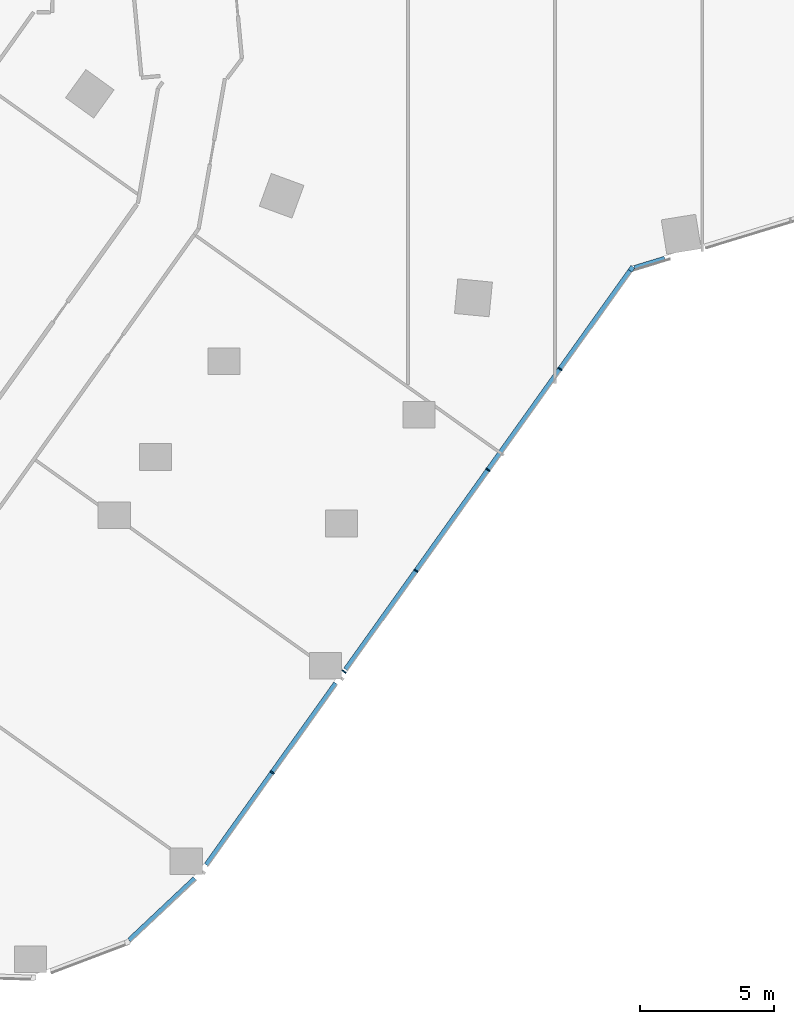
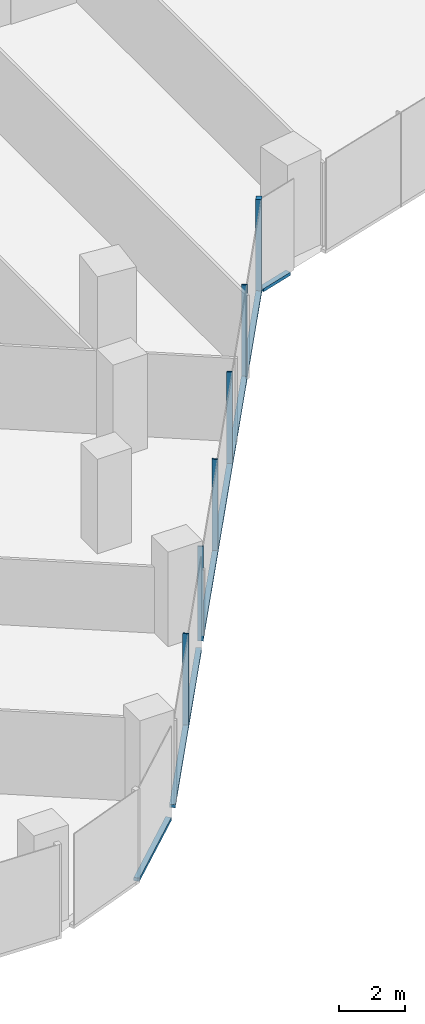
# One storey, part 5 of 31: 10 members, 3 elements without a shape of their own.
"""IFC4 building model written with IfcOpenShell, lengths in metres."""

from ifc_helpers import new_model, si_unit, direction, frame, origin, origin_2d, place, context, subcontext, project, spatial, rectangle, extrude, material, material_profile, profile_set, type_object, element, aggregate, save


model = new_model("IFC4")

# Units and contexts
model_context = context("Model", 3, precision=1e-05, world=origin(), true_north=direction((0.0, 1.0)))
body_context = subcontext(model_context, "Body", "Model", "MODEL_VIEW")
ifc_project = project(units=[si_unit("LENGTHUNIT", "METRE"), si_unit("AREAUNIT", "SQUARE_METRE"), si_unit("VOLUMEUNIT", "CUBIC_METRE"), si_unit("PLANEANGLEUNIT", "RADIAN"), si_unit("MASSUNIT", "GRAM", prefix="KILO")], contexts=[model_context])

# Site, building, storey
site_placement = place(None, origin())
site = spatial("IfcSite", under=ifc_project, at=site_placement, CompositionType="ELEMENT")
building_placement = place(site_placement, origin())
building = spatial("IfcBuilding", under=site, at=building_placement, Name="Orlundy Tower", CompositionType="ELEMENT")
storey_placement = place(building_placement, frame((0.0, 0.0, 91.199951171875)))
storey = spatial("IfcBuildingStorey", under=building, at=storey_placement, Name="L22", CompositionType="ELEMENT", Elevation=91.199951171875)

# Curtain wall, members
ifc_material_1 = material(Name="Aluminium bronze anodised", Category="aluminium")
curtain_wall_type = type_object("IfcCurtainWallType", Name="CW1 wall", PredefinedType="NOTDEFINED", material=ifc_material_1)
curtain_wall_1_placement = place(storey_placement, origin())
curtain_wall_1 = element("IfcCurtainWall", 1, at=curtain_wall_1_placement, inside=storey, type_object=curtain_wall_type, Name="CW1 run 018", PredefinedType="NOTDEFINED")
ifc_material_2 = material(Name="Aluminium bronze anodised", Category="aluminium")
ifc_material_profile_1 = material_profile(ifc_material_2, rectangle(XDim=0.179931640625, YDim=0.179931640625, at=origin_2d()), Name="CW1 corner post 180x180")
ifc_profile_set_1 = profile_set([ifc_material_profile_1], Name="Aluminium bronze anodised")
member_type_1 = type_object("IfcMemberType", Name="CW1 corner post 180x180", PredefinedType="MULLION", material=ifc_profile_set_1)
member_1_placement = place(storey_placement, frame((2.8564453125, -30.591064453125, -0.39990234375), z_axis=(0.0, 0.0, 1.0), x_axis=(0.814110230009, -0.580710369629, 0.0)))
member_1 = element("IfcMember", 2, at=member_1_placement, type_object=member_type_1, Name="CW1 mullion 51", PredefinedType="MULLION", context=body_context, shape_type="SweptSolid", body=[
    extrude(rectangle(XDim=0.179931640625, YDim=0.179931640625, at=origin_2d()), origin(), (0.0, 0.0, 1.0), 3.5),
])
ifc_material_3 = material(Name="Aluminium bronze anodised", Category="aluminium")
ifc_material_profile_2 = material_profile(ifc_material_3, rectangle(XDim=0.179931640625, YDim=0.050048828125, at=origin_2d()), Name="CW1 mullion 50x180")
ifc_profile_set_2 = profile_set([ifc_material_profile_2], Name="Aluminium bronze anodised")
member_type_2 = type_object("IfcMemberType", Name="CW1 mullion 50x180", PredefinedType="MULLION", material=ifc_profile_set_2)
member_2_placement = place(storey_placement, frame((0.18505859375, -34.336181640625, -0.39990234375), z_axis=(0.0, 0.0, 1.0), x_axis=(0.814110230009, -0.580710369629, 0.0)))
member_2 = element("IfcMember", 3, at=member_2_placement, type_object=member_type_2, Name="CW1 mullion 52", PredefinedType="MULLION", context=body_context, shape_type="SweptSolid", body=[
    extrude(rectangle(XDim=0.179931640625, YDim=0.050048828125, at=origin_2d()), origin(), (0.0, 0.0, 1.0), 3.5),
])
member_3_placement = place(storey_placement, frame((-2.504150390625, -38.106201171875, -0.39990234375), z_axis=(0.0, 0.0, 1.0), x_axis=(0.814110230009, -0.580710369629, 0.0)))
member_3 = element("IfcMember", 4, at=member_3_placement, type_object=member_type_2, Name="CW1 mullion 53", PredefinedType="MULLION", context=body_context, shape_type="SweptSolid", body=[
    extrude(rectangle(XDim=0.179931640625, YDim=0.050048828125, at=origin_2d()), origin(), (0.0, 0.0, 1.0), 3.5),
])
member_4_placement = place(storey_placement, frame((-5.193115234375, -41.876220703125, -0.39990234375), z_axis=(0.0, 0.0, 1.0), x_axis=(0.814110230009, -0.580710369629, 0.0)))
member_4 = element("IfcMember", 5, at=member_4_placement, type_object=member_type_2, Name="CW1 mullion 54", PredefinedType="MULLION", context=body_context, shape_type="SweptSolid", body=[
    extrude(rectangle(XDim=0.179931640625, YDim=0.050048828125, at=origin_2d()), origin(), (0.0, 0.0, 1.0), 3.5),
])
member_5_placement = place(storey_placement, frame((-7.88232421875, -45.646240234375, -0.39990234375), z_axis=(0.0, 0.0, 1.0), x_axis=(0.814110230009, -0.580710369629, 0.0)))
member_5 = element("IfcMember", 6, at=member_5_placement, type_object=member_type_2, Name="CW1 mullion 55", PredefinedType="MULLION", context=body_context, shape_type="SweptSolid", body=[
    extrude(rectangle(XDim=0.179931640625, YDim=0.050048828125, at=origin_2d()), origin(), (0.0, 0.0, 1.0), 3.5),
])
member_6_placement = place(storey_placement, frame((-10.571533203125, -49.416259765625, -0.39990234375), z_axis=(0.0, 0.0, 1.0), x_axis=(0.814110230009, -0.580710369629, 0.0)))
member_6 = element("IfcMember", 7, at=member_6_placement, type_object=member_type_2, Name="CW1 mullion 56", PredefinedType="MULLION", context=body_context, shape_type="SweptSolid", body=[
    extrude(rectangle(XDim=0.179931640625, YDim=0.050048828125, at=origin_2d()), origin(), (0.0, 0.0, 1.0), 3.5),
])

# Curtain wall, member
curtain_wall_2_placement = place(storey_placement, origin())
curtain_wall_2 = element("IfcCurtainWall", 8, at=curtain_wall_2_placement, inside=storey, type_object=curtain_wall_type, Name="CW1 run 017", PredefinedType="NOTDEFINED")
ifc_material_4 = material(Name="Aluminium bronze anodised", Category="aluminium")
ifc_material_profile_3 = material_profile(ifc_material_4, rectangle(XDim=0.179931640625, YDim=0.1201171875, at=origin_2d()), Name="CW1 transom 180x120")
ifc_profile_set_3 = profile_set([ifc_material_profile_3], Name="Aluminium bronze anodised")
member_type_3 = type_object("IfcMemberType", Name="CW1 transom 180x120", PredefinedType="USERDEFINED", material=ifc_profile_set_3)
member_7_placement = place(storey_placement, frame((4.099853515625, -30.211181640625, -0.33984375), z_axis=(-0.956364348349, -0.292176715718, 0.0), x_axis=(0.292176715718, -0.956364348349, 0.0)))
member_7 = element("IfcMember", 9, at=member_7_placement, type_object=member_type_3, Name="CW1 transom", ObjectType="TRANSOM", PredefinedType="USERDEFINED", context=body_context, shape_type="SweptSolid", body=[
    extrude(rectangle(XDim=0.179931640625, YDim=0.1201171875, at=origin_2d()), origin(), (0.0, 0.0, 1.0), 1.1865234375),
])
aggregate(curtain_wall_2, [member_7])

# Member
member_8_placement = place(storey_placement, frame((2.80419921875, -30.664306640625, -0.33984375), z_axis=(-0.580704410248, -0.814114480843, 0.0), x_axis=(0.814114480843, -0.580704410248, 0.0)))
member_8 = element("IfcMember", 10, at=member_8_placement, type_object=member_type_3, Name="CW1 transom", ObjectType="TRANSOM", PredefinedType="USERDEFINED", context=body_context, shape_type="SweptSolid", body=[
    extrude(rectangle(XDim=0.179931640625, YDim=0.1201171875, at=origin_2d()), origin(), (0.0, 0.0, 1.0), 18.3056640625),
])

member_9_placement = place(storey_placement, frame((-8.1923828125, -46.0810546875, -0.33984375), z_axis=(-0.580722740439, -0.814101405684, 0.0), x_axis=(0.814101405684, -0.580722740439, 0.0)))
member_9 = element("IfcMember", 11, at=member_9_placement, type_object=member_type_3, Name="CW1 transom", ObjectType="TRANSOM", PredefinedType="USERDEFINED", context=body_context, shape_type="SweptSolid", body=[
    extrude(rectangle(XDim=0.179931640625, YDim=0.1201171875, at=origin_2d()), origin(), (0.0, 0.0, 1.0), 8.33544921875),
])

aggregate(curtain_wall_1, [member_1, member_2, member_3, member_4, member_5, member_6, member_8, member_9])

# Curtain wall, member
curtain_wall_3_placement = place(storey_placement, origin())
curtain_wall_3 = element("IfcCurtainWall", 12, at=curtain_wall_3_placement, inside=storey, type_object=curtain_wall_type, Name="CW1 run 019", PredefinedType="NOTDEFINED")
member_10_placement = place(storey_placement, frame((-13.465087890625, -53.381103515625, -0.33984375), z_axis=(-0.728240499121, -0.685321658377, 0.0), x_axis=(0.685321658377, -0.728240499121, 0.0)))
member_10 = element("IfcMember", 13, at=member_10_placement, type_object=member_type_3, Name="CW1 transom", ObjectType="TRANSOM", PredefinedType="USERDEFINED", context=body_context, shape_type="SweptSolid", body=[
    extrude(rectangle(XDim=0.179931640625, YDim=0.1201171875, at=origin_2d()), origin(), (0.0, 0.0, 1.0), 3.36181640625),
])
aggregate(curtain_wall_3, [member_10])

save(model, "model.ifc")
